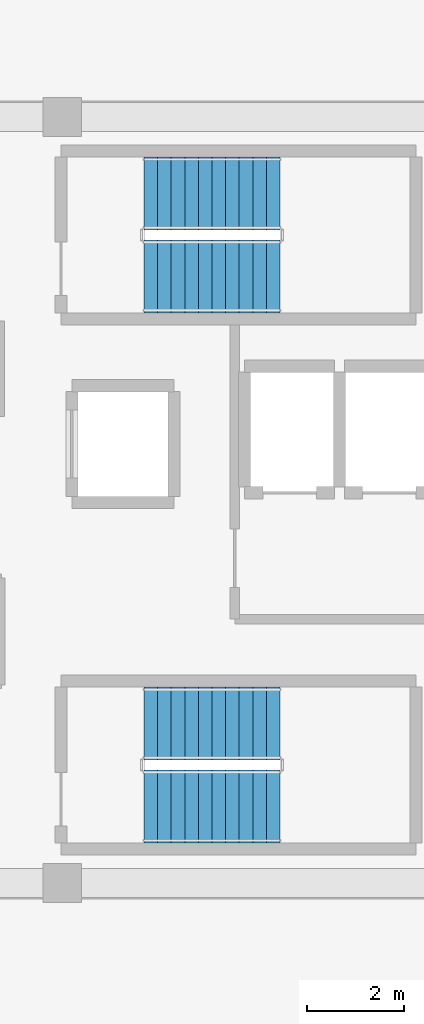
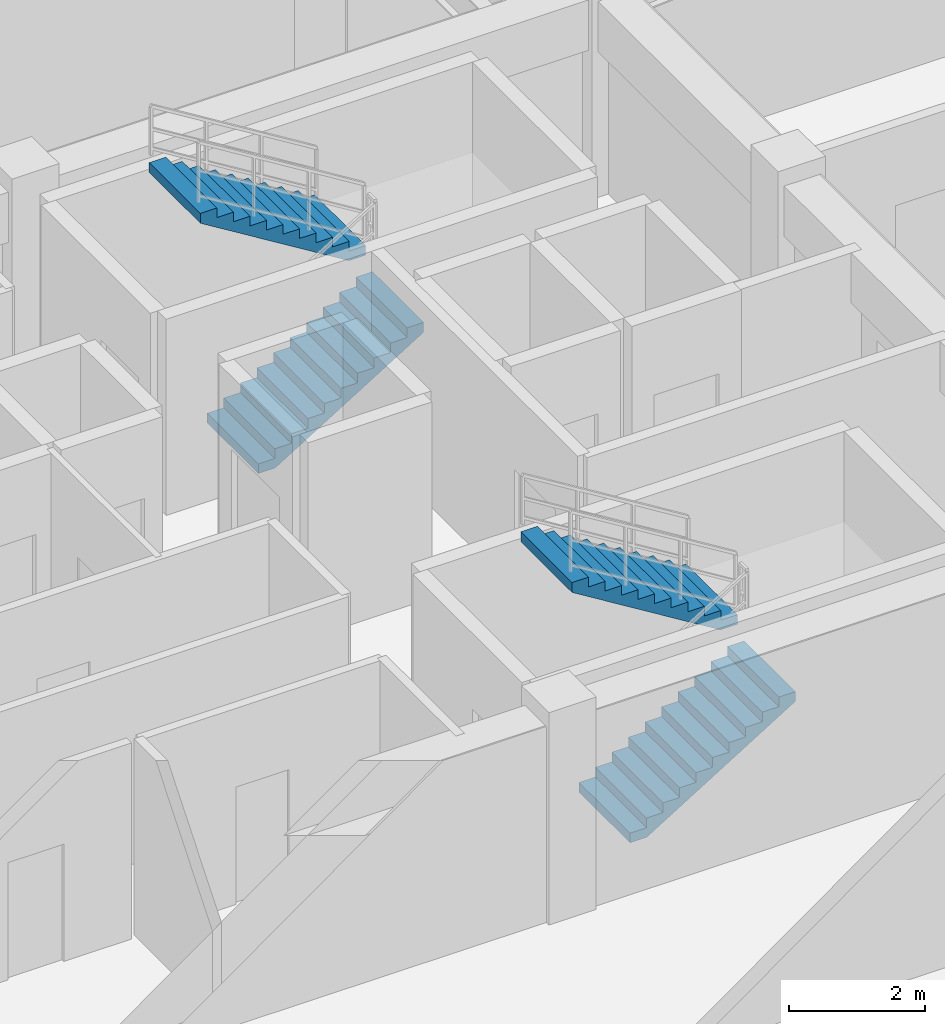
# One storey, part 6 of 10: 4 stair flights, 2 elements without a shape of their own.
"""IFC4 building model written with IfcOpenShell, lengths in metres."""

from ifc_helpers import new_model, si_unit, direction, frame, origin, place, context, subcontext, project, spatial, polyline, outline, extrude, material, type_object, element, aggregate, save


model = new_model("IFC4")

# Units and contexts
model_context = context("Model", 3, precision=1e-05, world=origin(), true_north=direction((0.0, 1.0)))
body_context = subcontext(model_context, "Body", "Model", "MODEL_VIEW")
ifc_project = project(units=[si_unit("LENGTHUNIT", "METRE"), si_unit("AREAUNIT", "SQUARE_METRE"), si_unit("VOLUMEUNIT", "CUBIC_METRE"), si_unit("PLANEANGLEUNIT", "RADIAN"), si_unit("MASSUNIT", "GRAM", prefix="KILO")], contexts=[model_context])

# Site, building, storey
site_placement = place(None, origin())
site = spatial("IfcSite", under=ifc_project, at=site_placement, CompositionType="ELEMENT")
building_placement = place(site_placement, origin())
building = spatial("IfcBuilding", under=site, at=building_placement, Name="Zulverin Broadcast Headquarters", CompositionType="ELEMENT")
storey_placement = place(building_placement, frame((0.0, 0.0, 236.39990234375)))
storey = spatial("IfcBuildingStorey", under=building, at=storey_placement, Name="L60", CompositionType="ELEMENT", Elevation=236.39990234375)

# Stair, stair flights
ifc_material = material(Name="Concrete C40/50", Category="concrete")
stair_type = type_object("IfcStairType", Name="ST-CORE-1500", PredefinedType="HALF_TURN_STAIR", material=ifc_material)
stair_1_placement = place(storey_placement, origin())
stair_1 = element("IfcStair", 1, at=stair_1_placement, inside=storey, type_object=stair_type, Name="L60 Core Exit Stair ST-1", PredefinedType="HALF_TURN_STAIR")
stair_flight_type = type_object("IfcStairFlightType", Name="SF-CORE-1500", PredefinedType="STRAIGHT", material=ifc_material)
stair_flight_1_placement = place(storey_placement, frame((40.1298828125, 29.800048828125, 0.0), z_axis=(0.0, 0.0, 1.0), x_axis=(1.0, 0.0, 0.0)))
stair_flight_1 = element("IfcStairFlight", 2, at=stair_flight_1_placement, type_object=stair_flight_type, Name="ST-1 flight 1", NumberOfRisers=11, NumberOfTreads=10, PredefinedType="STRAIGHT", RiserHeight=0.172727273, TreadLength=0.28, context=body_context, shape_type="SweptSolid", body=[
    extrude(outline(polyline([(0.0, 0.0), (0.0, 0.172607421875), (0.280029296875, 0.172607421875), (0.280029296875, 0.345458984375), (0.56005859375, 0.345458984375), (0.56005859375, 0.51806640625), (0.840087890625, 0.51806640625), (0.840087890625, 0.69091796875), (1.1201171875, 0.69091796875), (1.1201171875, 0.863525390625), (1.39990234375, 0.863525390625), (1.39990234375, 1.036376953125), (1.679931640625, 1.036376953125), (1.679931640625, 1.208984375), (1.9599609375, 1.208984375), (1.9599609375, 1.3818359375), (2.239990234375, 1.3818359375), (2.239990234375, 1.554443359375), (2.52001953125, 1.554443359375), (2.52001953125, 1.727294921875), (2.800048828125, 1.727294921875), (2.800048828125, 1.89990234375), (2.800048828125, 1.551025390625), (0.285400390625, 0.0), (0.0, 0.0)])), frame((0.0, 0.75, 0.0), z_axis=(0.0, -1.0, 0.0), x_axis=(1.0, 0.0, 0.0)), (0.0, 0.0, 1.0), 1.5),
])
stair_flight_2_placement = place(storey_placement, frame((42.929931640625, 31.5, 1.900146484375), z_axis=(0.0, 0.0, 1.0), x_axis=(-1.0, 0.0, 0.0)))
stair_flight_2 = element("IfcStairFlight", 3, at=stair_flight_2_placement, type_object=stair_flight_type, Name="ST-1 flight 2", NumberOfRisers=11, NumberOfTreads=10, PredefinedType="STRAIGHT", RiserHeight=0.172727273, TreadLength=0.28, context=body_context, shape_type="SweptSolid", body=[
    extrude(outline(polyline([(0.0, 0.0), (0.0, 0.172607421875), (0.280029296875, 0.172607421875), (0.280029296875, 0.345458984375), (0.56005859375, 0.345458984375), (0.56005859375, 0.51806640625), (0.840087890625, 0.51806640625), (0.840087890625, 0.69091796875), (1.1201171875, 0.69091796875), (1.1201171875, 0.863525390625), (1.39990234375, 0.863525390625), (1.39990234375, 1.036376953125), (1.679931640625, 1.036376953125), (1.679931640625, 1.208984375), (1.9599609375, 1.208984375), (1.9599609375, 1.3818359375), (2.239990234375, 1.3818359375), (2.239990234375, 1.554443359375), (2.52001953125, 1.554443359375), (2.52001953125, 1.727294921875), (2.800048828125, 1.727294921875), (2.800048828125, 1.89990234375), (2.800048828125, 1.551025390625), (0.285400390625, 0.0), (0.0, 0.0)])), frame((0.0, 0.75, 0.0), z_axis=(0.0, -1.0, 0.0), x_axis=(1.0, 0.0, 0.0)), (0.0, 0.0, 1.0), 1.5),
])
aggregate(stair_1, [stair_flight_1, stair_flight_2])

stair_2_placement = place(storey_placement, origin())
stair_2 = element("IfcStair", 4, at=stair_2_placement, inside=storey, type_object=stair_type, Name="L60 Core Exit Stair ST-2", PredefinedType="HALF_TURN_STAIR")
stair_flight_3_placement = place(storey_placement, frame((40.1298828125, 18.89990234375, 0.0), z_axis=(0.0, 0.0, 1.0), x_axis=(1.0, 0.0, 0.0)))
stair_flight_3 = element("IfcStairFlight", 5, at=stair_flight_3_placement, type_object=stair_flight_type, Name="ST-2 flight 1", NumberOfRisers=11, NumberOfTreads=10, PredefinedType="STRAIGHT", RiserHeight=0.172727273, TreadLength=0.28, context=body_context, shape_type="SweptSolid", body=[
    extrude(outline(polyline([(0.0, 0.0), (0.0, 0.172607421875), (0.280029296875, 0.172607421875), (0.280029296875, 0.345458984375), (0.56005859375, 0.345458984375), (0.56005859375, 0.51806640625), (0.840087890625, 0.51806640625), (0.840087890625, 0.69091796875), (1.1201171875, 0.69091796875), (1.1201171875, 0.863525390625), (1.39990234375, 0.863525390625), (1.39990234375, 1.036376953125), (1.679931640625, 1.036376953125), (1.679931640625, 1.208984375), (1.9599609375, 1.208984375), (1.9599609375, 1.3818359375), (2.239990234375, 1.3818359375), (2.239990234375, 1.554443359375), (2.52001953125, 1.554443359375), (2.52001953125, 1.727294921875), (2.800048828125, 1.727294921875), (2.800048828125, 1.89990234375), (2.800048828125, 1.551025390625), (0.285400390625, 0.0), (0.0, 0.0)])), frame((0.0, 0.75, 0.0), z_axis=(0.0, -1.0, 0.0), x_axis=(1.0, 0.0, 0.0)), (0.0, 0.0, 1.0), 1.5),
])
stair_flight_4_placement = place(storey_placement, frame((42.929931640625, 20.60009765625, 1.900146484375), z_axis=(0.0, 0.0, 1.0), x_axis=(-1.0, 0.0, 0.0)))
stair_flight_4 = element("IfcStairFlight", 6, at=stair_flight_4_placement, type_object=stair_flight_type, Name="ST-2 flight 2", NumberOfRisers=11, NumberOfTreads=10, PredefinedType="STRAIGHT", RiserHeight=0.172727273, TreadLength=0.28, context=body_context, shape_type="SweptSolid", body=[
    extrude(outline(polyline([(0.0, 0.0), (0.0, 0.172607421875), (0.280029296875, 0.172607421875), (0.280029296875, 0.345458984375), (0.56005859375, 0.345458984375), (0.56005859375, 0.51806640625), (0.840087890625, 0.51806640625), (0.840087890625, 0.69091796875), (1.1201171875, 0.69091796875), (1.1201171875, 0.863525390625), (1.39990234375, 0.863525390625), (1.39990234375, 1.036376953125), (1.679931640625, 1.036376953125), (1.679931640625, 1.208984375), (1.9599609375, 1.208984375), (1.9599609375, 1.3818359375), (2.239990234375, 1.3818359375), (2.239990234375, 1.554443359375), (2.52001953125, 1.554443359375), (2.52001953125, 1.727294921875), (2.800048828125, 1.727294921875), (2.800048828125, 1.89990234375), (2.800048828125, 1.551025390625), (0.285400390625, 0.0), (0.0, 0.0)])), frame((0.0, 0.75, 0.0), z_axis=(0.0, -1.0, 0.0), x_axis=(1.0, 0.0, 0.0)), (0.0, 0.0, 1.0), 1.5),
])
aggregate(stair_2, [stair_flight_3, stair_flight_4])

save(model, "model.ifc")
